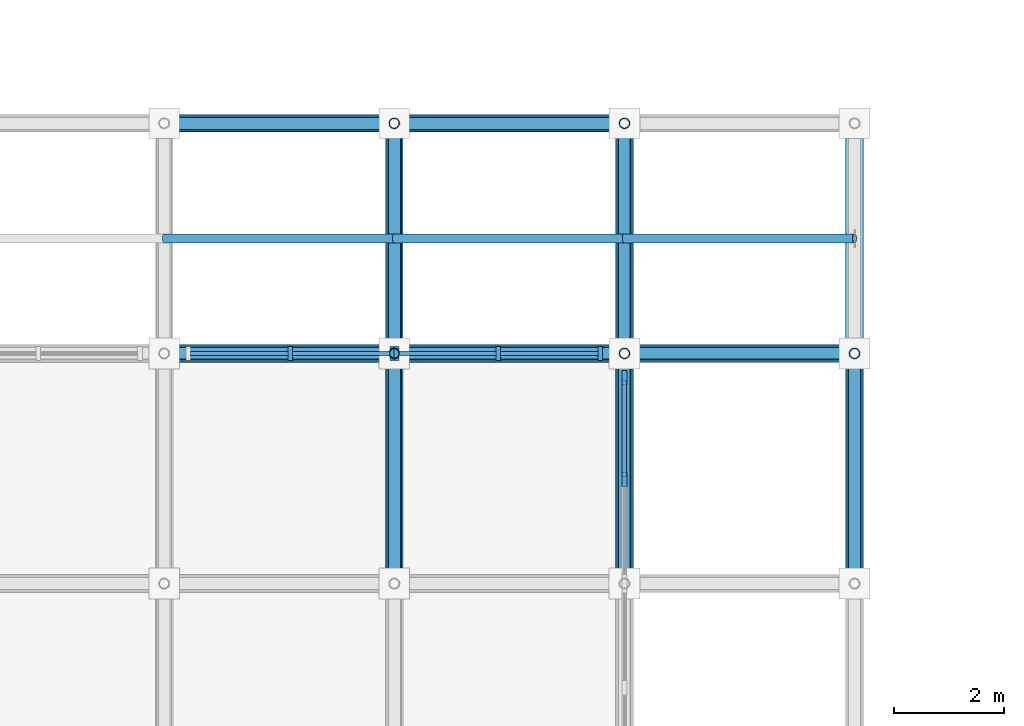
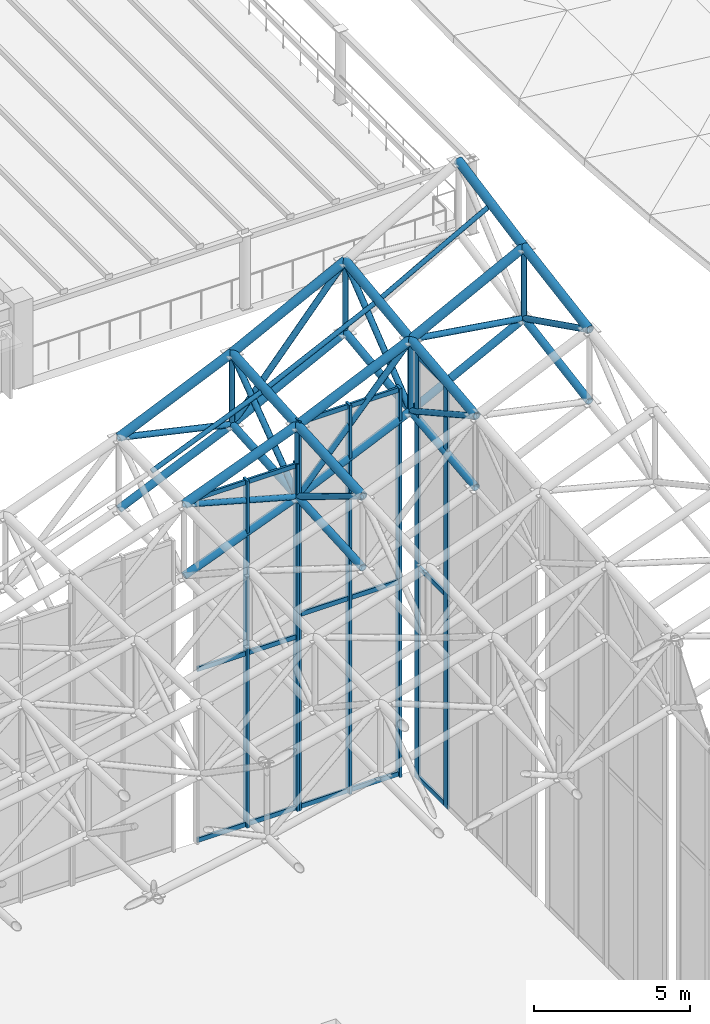
# One storey, part 56 of 93: 61 members, 3 elements without a shape of their own.
"""IFC4 building model written with IfcOpenShell, lengths in metres."""

from ifc_helpers import new_model, si_unit, direction, frame, origin, origin_2d, place, context, subcontext, project, spatial, rectangle, hollow_circle, extrude, material, material_profile, profile_set, type_object, element, aggregate, save


model = new_model("IFC4")

# Units and contexts
model_context = context("Model", 3, precision=1e-05, world=origin(), true_north=direction((0.0, 1.0)))
body_context = subcontext(model_context, "Body", "Model", "MODEL_VIEW")
ifc_project = project(units=[si_unit("LENGTHUNIT", "METRE"), si_unit("AREAUNIT", "SQUARE_METRE"), si_unit("VOLUMEUNIT", "CUBIC_METRE"), si_unit("PLANEANGLEUNIT", "RADIAN"), si_unit("MASSUNIT", "GRAM", prefix="KILO")], contexts=[model_context])

# Site, building, storey
site_placement = place(None, origin())
site = spatial("IfcSite", under=ifc_project, at=site_placement, CompositionType="ELEMENT")
building_placement = place(site_placement, origin())
building = spatial("IfcBuilding", under=site, at=building_placement, Name="Cumbredor Promenade Congress Hotel", CompositionType="ELEMENT")
storey_placement = place(building_placement, frame((0.0, 0.0, 21.840087890625)))
storey = spatial("IfcBuildingStorey", under=building, at=storey_placement, Name="L06", CompositionType="ELEMENT", Elevation=21.840087890625)

# Curtain wall, members
ifc_material_1 = material(Name="Thermally broken anodized aluminium and low-E glass", Category="aluminium")
curtain_wall_type = type_object("IfcCurtainWallType", Name="Stepped Pavilion Clerestory Curtain Wall CW-06", PredefinedType="NOTDEFINED", material=ifc_material_1)
curtain_wall_1_placement = place(storey_placement, origin())
curtain_wall_1 = element("IfcCurtainWall", 1, at=curtain_wall_1_placement, inside=storey, type_object=curtain_wall_type, Name="Plenary Congress Hall N Glazed Clerestory 13", PredefinedType="NOTDEFINED")
ifc_material_2 = material(Name="Thermally broken anodized aluminium", Category="aluminium")
ifc_material_profile_1 = material_profile(ifc_material_2, rectangle(XDim=0.0849609375, YDim=0.260009765625, at=origin_2d()), Name="ALU MULLION CLERESTORY 85x260")
ifc_profile_set_1 = profile_set([ifc_material_profile_1], Name="Thermally broken anodized aluminium")
member_type_1 = type_object("IfcMemberType", Name="Curtain Wall Mullion ML-04", PredefinedType="MULLION", material=ifc_profile_set_1)
member_1_placement = place(storey_placement, frame((61.10009765625, 67.199951171875, -0.01806640625), z_axis=(0.0, 0.0, 1.0), x_axis=(1.0, 0.0, 0.0)))
member_1 = element("IfcMember", 2, at=member_1_placement, type_object=member_type_1, Name="Plenary Congress Hall N Glazed Clerestory 13 Mullion 2", PredefinedType="MULLION", context=body_context, shape_type="SweptSolid", body=[
    extrude(rectangle(XDim=0.0849609375, YDim=0.260009765625, at=origin_2d()), origin(), (0.0, 0.0, 1.0), 13.609130859375),
])
member_2_placement = place(storey_placement, frame((62.9599609375, 67.199951171875, -0.01806640625), z_axis=(0.0, 0.0, 1.0), x_axis=(1.0, 0.0, 0.0)))
member_2 = element("IfcMember", 3, at=member_2_placement, type_object=member_type_1, Name="Plenary Congress Hall N Glazed Clerestory 13 Mullion 3", PredefinedType="MULLION", context=body_context, shape_type="SweptSolid", body=[
    extrude(rectangle(XDim=0.0849609375, YDim=0.260009765625, at=origin_2d()), origin(), (0.0, 0.0, 1.0), 13.609130859375),
])

curtain_wall_2_placement = place(storey_placement, origin())
curtain_wall_2 = element("IfcCurtainWall", 4, at=curtain_wall_2_placement, inside=storey, type_object=curtain_wall_type, Name="Plenary Congress Hall N Glazed Clerestory 14", PredefinedType="NOTDEFINED")
member_3_placement = place(storey_placement, frame((63.0400390625, 67.199951171875, -0.01806640625), z_axis=(0.0, 0.0, 1.0), x_axis=(1.0, 0.0, 0.0)))
member_3 = element("IfcMember", 5, at=member_3_placement, type_object=member_type_1, Name="Plenary Congress Hall N Glazed Clerestory 14 Mullion 1", PredefinedType="MULLION", context=body_context, shape_type="SweptSolid", body=[
    extrude(rectangle(XDim=0.0849609375, YDim=0.260009765625, at=origin_2d()), origin(), (0.0, 0.0, 1.0), 15.246337890625),
])
member_4_placement = place(storey_placement, frame((64.89990234375, 67.199951171875, -0.01806640625), z_axis=(0.0, 0.0, 1.0), x_axis=(1.0, 0.0, 0.0)))
member_4 = element("IfcMember", 6, at=member_4_placement, type_object=member_type_1, Name="Plenary Congress Hall N Glazed Clerestory 14 Mullion 2", PredefinedType="MULLION", context=body_context, shape_type="SweptSolid", body=[
    extrude(rectangle(XDim=0.0849609375, YDim=0.260009765625, at=origin_2d()), origin(), (0.0, 0.0, 1.0), 15.246337890625),
])
member_5_placement = place(storey_placement, frame((66.760009765625, 67.199951171875, -0.01806640625), z_axis=(0.0, 0.0, 1.0), x_axis=(1.0, 0.0, 0.0)))
member_5 = element("IfcMember", 7, at=member_5_placement, type_object=member_type_1, Name="Plenary Congress Hall N Glazed Clerestory 14 Mullion 3", PredefinedType="MULLION", context=body_context, shape_type="SweptSolid", body=[
    extrude(rectangle(XDim=0.0849609375, YDim=0.260009765625, at=origin_2d()), origin(), (0.0, 0.0, 1.0), 15.246337890625),
])

curtain_wall_3_placement = place(storey_placement, origin())
curtain_wall_3 = element("IfcCurtainWall", 8, at=curtain_wall_3_placement, inside=storey, type_object=curtain_wall_type, Name="Plenary Congress Hall E Glazed Clerestory 14", PredefinedType="NOTDEFINED")
member_6_placement = place(storey_placement, frame((67.199951171875, 64.89990234375, -0.01806640625), z_axis=(0.0, 0.0, 1.0), x_axis=(1.0, 0.0, 0.0)))
member_6 = element("IfcMember", 9, at=member_6_placement, type_object=member_type_1, Name="Plenary Congress Hall E Glazed Clerestory 14 Mullion 2", PredefinedType="MULLION", context=body_context, shape_type="SweptSolid", body=[
    extrude(rectangle(XDim=0.0849609375, YDim=0.260009765625, at=origin_2d()), origin(), (0.0, 0.0, 1.0), 16.67431640625),
])
member_7_placement = place(storey_placement, frame((67.199951171875, 66.760009765625, -0.01806640625), z_axis=(0.0, 0.0, 1.0), x_axis=(1.0, 0.0, 0.0)))
member_7 = element("IfcMember", 10, at=member_7_placement, type_object=member_type_1, Name="Plenary Congress Hall E Glazed Clerestory 14 Mullion 3", PredefinedType="MULLION", context=body_context, shape_type="SweptSolid", body=[
    extrude(rectangle(XDim=0.0849609375, YDim=0.260009765625, at=origin_2d()), origin(), (0.0, 0.0, 1.0), 16.67431640625),
])

# Member
ifc_material_profile_2 = material_profile(ifc_material_2, rectangle(XDim=0.080078125, YDim=0.179931640625, at=origin_2d()), Name="ALU TRANSOM 80x180")
ifc_profile_set_2 = profile_set([ifc_material_profile_2], Name="Thermally broken anodized aluminium")
member_type_2 = type_object("IfcMemberType", Name="Curtain Wall Transom TR-03", PredefinedType="USERDEFINED", material=ifc_profile_set_2)
member_8_placement = place(storey_placement, frame((59.282470703125, 67.199951171875, 0.079833984375), z_axis=(1.0, 0.0, 0.0), x_axis=(0.0, 1.0, 0.0)))
member_8 = element("IfcMember", 11, at=member_8_placement, type_object=member_type_2, Name="Plenary Congress Hall N Glazed Clerestory 13 Transom 1.1", ObjectType="TRANSOM", PredefinedType="USERDEFINED", context=body_context, shape_type="SweptSolid", body=[
    extrude(rectangle(XDim=0.080078125, YDim=0.179931640625, at=origin_2d()), origin(), (0.0, 0.0, 1.0), 1.775146484375),
])

member_9_placement = place(storey_placement, frame((59.282470703125, 67.199951171875, 6.780029296875), z_axis=(1.0, 0.0, 0.0), x_axis=(0.0, 1.0, 0.0)))
member_9 = element("IfcMember", 12, at=member_9_placement, type_object=member_type_2, Name="Plenary Congress Hall N Glazed Clerestory 13 Transom 1.2", ObjectType="TRANSOM", PredefinedType="USERDEFINED", context=body_context, shape_type="SweptSolid", body=[
    extrude(rectangle(XDim=0.080078125, YDim=0.179931640625, at=origin_2d()), origin(), (0.0, 0.0, 1.0), 1.775146484375),
])

member_10_placement = place(storey_placement, frame((59.282470703125, 67.199951171875, 13.489990234375), z_axis=(1.0, 0.0, 0.0), x_axis=(0.0, 1.0, 0.0)))
member_10 = element("IfcMember", 13, at=member_10_placement, type_object=member_type_2, Name="Plenary Congress Hall N Glazed Clerestory 13 Transom 1.3", ObjectType="TRANSOM", PredefinedType="USERDEFINED", context=body_context, shape_type="SweptSolid", body=[
    extrude(rectangle(XDim=0.080078125, YDim=0.179931640625, at=origin_2d()), origin(), (0.0, 0.0, 1.0), 1.775146484375),
])

member_11_placement = place(storey_placement, frame((61.142578125, 67.199951171875, 0.079833984375), z_axis=(1.0, 0.0, 0.0), x_axis=(0.0, 1.0, 0.0)))
member_11 = element("IfcMember", 14, at=member_11_placement, type_object=member_type_2, Name="Plenary Congress Hall N Glazed Clerestory 13 Transom 2.1", ObjectType="TRANSOM", PredefinedType="USERDEFINED", context=body_context, shape_type="SweptSolid", body=[
    extrude(rectangle(XDim=0.080078125, YDim=0.179931640625, at=origin_2d()), origin(), (0.0, 0.0, 1.0), 1.77490234375),
])

member_12_placement = place(storey_placement, frame((61.142578125, 67.199951171875, 6.780029296875), z_axis=(1.0, 0.0, 0.0), x_axis=(0.0, 1.0, 0.0)))
member_12 = element("IfcMember", 15, at=member_12_placement, type_object=member_type_2, Name="Plenary Congress Hall N Glazed Clerestory 13 Transom 2.2", ObjectType="TRANSOM", PredefinedType="USERDEFINED", context=body_context, shape_type="SweptSolid", body=[
    extrude(rectangle(XDim=0.080078125, YDim=0.179931640625, at=origin_2d()), origin(), (0.0, 0.0, 1.0), 1.77490234375),
])

member_13_placement = place(storey_placement, frame((61.142578125, 67.199951171875, 13.489990234375), z_axis=(1.0, 0.0, 0.0), x_axis=(0.0, 1.0, 0.0)))
member_13 = element("IfcMember", 16, at=member_13_placement, type_object=member_type_2, Name="Plenary Congress Hall N Glazed Clerestory 13 Transom 2.3", ObjectType="TRANSOM", PredefinedType="USERDEFINED", context=body_context, shape_type="SweptSolid", body=[
    extrude(rectangle(XDim=0.080078125, YDim=0.179931640625, at=origin_2d()), origin(), (0.0, 0.0, 1.0), 1.77490234375),
])

aggregate(curtain_wall_1, [member_1, member_2, member_8, member_9, member_10, member_11, member_12, member_13])

member_14_placement = place(storey_placement, frame((63.08251953125, 67.199951171875, 0.079833984375), z_axis=(1.0, 0.0, 0.0), x_axis=(0.0, 1.0, 0.0)))
member_14 = element("IfcMember", 17, at=member_14_placement, type_object=member_type_2, Name="Plenary Congress Hall N Glazed Clerestory 14 Transom 1.1", ObjectType="TRANSOM", PredefinedType="USERDEFINED", context=body_context, shape_type="SweptSolid", body=[
    extrude(rectangle(XDim=0.080078125, YDim=0.179931640625, at=origin_2d()), origin(), (0.0, 0.0, 1.0), 1.77490234375),
])

member_15_placement = place(storey_placement, frame((63.08251953125, 67.199951171875, 7.60986328125), z_axis=(1.0, 0.0, 0.0), x_axis=(0.0, 1.0, 0.0)))
member_15 = element("IfcMember", 18, at=member_15_placement, type_object=member_type_2, Name="Plenary Congress Hall N Glazed Clerestory 14 Transom 1.2", ObjectType="TRANSOM", PredefinedType="USERDEFINED", context=body_context, shape_type="SweptSolid", body=[
    extrude(rectangle(XDim=0.080078125, YDim=0.179931640625, at=origin_2d()), origin(), (0.0, 0.0, 1.0), 1.77490234375),
])

member_16_placement = place(storey_placement, frame((63.08251953125, 67.199951171875, 15.1298828125), z_axis=(1.0, 0.0, 0.0), x_axis=(0.0, 1.0, 0.0)))
member_16 = element("IfcMember", 19, at=member_16_placement, type_object=member_type_2, Name="Plenary Congress Hall N Glazed Clerestory 14 Transom 1.3", ObjectType="TRANSOM", PredefinedType="USERDEFINED", context=body_context, shape_type="SweptSolid", body=[
    extrude(rectangle(XDim=0.080078125, YDim=0.179931640625, at=origin_2d()), origin(), (0.0, 0.0, 1.0), 1.77490234375),
])

member_17_placement = place(storey_placement, frame((64.9423828125, 67.199951171875, 0.079833984375), z_axis=(1.0, 0.0, 0.0), x_axis=(0.0, 1.0, 0.0)))
member_17 = element("IfcMember", 20, at=member_17_placement, type_object=member_type_2, Name="Plenary Congress Hall N Glazed Clerestory 14 Transom 2.1", ObjectType="TRANSOM", PredefinedType="USERDEFINED", context=body_context, shape_type="SweptSolid", body=[
    extrude(rectangle(XDim=0.080078125, YDim=0.179931640625, at=origin_2d()), origin(), (0.0, 0.0, 1.0), 1.775146484375),
])

member_18_placement = place(storey_placement, frame((64.9423828125, 67.199951171875, 7.60986328125), z_axis=(1.0, 0.0, 0.0), x_axis=(0.0, 1.0, 0.0)))
member_18 = element("IfcMember", 21, at=member_18_placement, type_object=member_type_2, Name="Plenary Congress Hall N Glazed Clerestory 14 Transom 2.2", ObjectType="TRANSOM", PredefinedType="USERDEFINED", context=body_context, shape_type="SweptSolid", body=[
    extrude(rectangle(XDim=0.080078125, YDim=0.179931640625, at=origin_2d()), origin(), (0.0, 0.0, 1.0), 1.775146484375),
])

member_19_placement = place(storey_placement, frame((64.9423828125, 67.199951171875, 15.1298828125), z_axis=(1.0, 0.0, 0.0), x_axis=(0.0, 1.0, 0.0)))
member_19 = element("IfcMember", 22, at=member_19_placement, type_object=member_type_2, Name="Plenary Congress Hall N Glazed Clerestory 14 Transom 2.3", ObjectType="TRANSOM", PredefinedType="USERDEFINED", context=body_context, shape_type="SweptSolid", body=[
    extrude(rectangle(XDim=0.080078125, YDim=0.179931640625, at=origin_2d()), origin(), (0.0, 0.0, 1.0), 1.775146484375),
])

aggregate(curtain_wall_2, [member_3, member_4, member_5, member_14, member_15, member_16, member_17, member_18, member_19])

member_20_placement = place(storey_placement, frame((67.199951171875, 64.9423828125, 0.079833984375), z_axis=(0.0, 1.0, 0.0), x_axis=(-1.0, 0.0, 0.0)))
member_20 = element("IfcMember", 23, at=member_20_placement, type_object=member_type_2, Name="Plenary Congress Hall E Glazed Clerestory 14 Transom 2.1", ObjectType="TRANSOM", PredefinedType="USERDEFINED", context=body_context, shape_type="SweptSolid", body=[
    extrude(rectangle(XDim=0.080078125, YDim=0.179931640625, at=origin_2d()), origin(), (0.0, 0.0, 1.0), 1.775146484375),
])

member_21_placement = place(storey_placement, frame((67.199951171875, 64.9423828125, 8.31982421875), z_axis=(0.0, 1.0, 0.0), x_axis=(-1.0, 0.0, 0.0)))
member_21 = element("IfcMember", 24, at=member_21_placement, type_object=member_type_2, Name="Plenary Congress Hall E Glazed Clerestory 14 Transom 2.2", ObjectType="TRANSOM", PredefinedType="USERDEFINED", context=body_context, shape_type="SweptSolid", body=[
    extrude(rectangle(XDim=0.080078125, YDim=0.179931640625, at=origin_2d()), origin(), (0.0, 0.0, 1.0), 1.775146484375),
])

member_22_placement = place(storey_placement, frame((67.199951171875, 64.9423828125, 16.559814453125), z_axis=(0.0, 1.0, 0.0), x_axis=(-1.0, 0.0, 0.0)))
member_22 = element("IfcMember", 25, at=member_22_placement, type_object=member_type_2, Name="Plenary Congress Hall E Glazed Clerestory 14 Transom 2.3", ObjectType="TRANSOM", PredefinedType="USERDEFINED", context=body_context, shape_type="SweptSolid", body=[
    extrude(rectangle(XDim=0.080078125, YDim=0.179931640625, at=origin_2d()), origin(), (0.0, 0.0, 1.0), 1.775146484375),
])

aggregate(curtain_wall_3, [member_6, member_7, member_20, member_21, member_22])

# Members
ifc_material_3 = material(Name="Steel ASTM A500 Grade C", Category="steel")
ifc_material_profile_3 = material_profile(ifc_material_3, hollow_circle(Radius=0.136474609375, WallThickness=0.01611328125, at=origin_2d()), Name="CHS 273.0x16")
ifc_profile_set_3 = profile_set([ifc_material_profile_3], Name="Steel ASTM A500 Grade C")
member_type_3 = type_object("IfcMemberType", Name="Plenary Roof Space Frame Bottom Chord", PredefinedType="CHORD", material=ifc_profile_set_3)
member_23_placement = place(storey_placement, frame((58.800048828125, 67.199951171875, 10.603271484375), z_axis=(0.931730987888, 0.0, 0.363149234075), x_axis=(0.0, 1.0, 0.0)))
element("IfcMember", 26, at=member_23_placement, inside=storey, type_object=member_type_3, Name="Plenary Congress Hall X Bottom Chord 16.17", PredefinedType="CHORD", context=body_context, shape_type="SweptSolid", body=[
    extrude(hollow_circle(Radius=0.136474609375, WallThickness=0.01611328125, at=origin_2d()), origin(), (0.0, 0.0, 1.0), 4.507568359375),
])
member_24_placement = place(storey_placement, frame((63.0, 67.199951171875, 12.240234375), z_axis=(0.91202761612, 0.0, 0.410128793716), x_axis=(0.0, 1.0, 0.0)))
element("IfcMember", 27, at=member_24_placement, inside=storey, type_object=member_type_3, Name="Plenary Congress Hall X Bottom Chord 17.17", PredefinedType="CHORD", context=body_context, shape_type="SweptSolid", body=[
    extrude(hollow_circle(Radius=0.136474609375, WallThickness=0.01611328125, at=origin_2d()), origin(), (0.0, 0.0, 1.0), 4.60498046875),
])
member_25_placement = place(storey_placement, frame((67.199951171875, 67.199951171875, 14.12890625), z_axis=(0.889587462598, 0.0, 0.456764869914), x_axis=(0.0, 1.0, 0.0)))
element("IfcMember", 28, at=member_25_placement, inside=storey, type_object=member_type_3, Name="Plenary Congress Hall X Bottom Chord 18.17", PredefinedType="CHORD", context=body_context, shape_type="SweptSolid", body=[
    extrude(hollow_circle(Radius=0.136474609375, WallThickness=0.01611328125, at=origin_2d()), origin(), (0.0, 0.0, 1.0), 4.72119140625),
])
member_26_placement = place(storey_placement, frame((58.800048828125, 71.39990234375, 10.672119140625), z_axis=(0.914850207029, 0.0, 0.403793386152), x_axis=(0.0, 1.0, 0.0)))
element("IfcMember", 29, at=member_26_placement, inside=storey, type_object=member_type_3, Name="Plenary Congress Hall X Bottom Chord 16.18", PredefinedType="CHORD", context=body_context, shape_type="SweptSolid", body=[
    extrude(hollow_circle(Radius=0.136474609375, WallThickness=0.01611328125, at=origin_2d()), origin(), (0.0, 0.0, 1.0), 4.5908203125),
])
member_27_placement = place(storey_placement, frame((63.0, 71.39990234375, 12.52587890625), z_axis=(0.891118940449, 0.0, 0.453769802844), x_axis=(0.0, 1.0, 0.0)))
element("IfcMember", 30, at=member_27_placement, inside=storey, type_object=member_type_3, Name="Plenary Congress Hall X Bottom Chord 17.18", PredefinedType="CHORD", context=body_context, shape_type="SweptSolid", body=[
    extrude(hollow_circle(Radius=0.136474609375, WallThickness=0.01611328125, at=origin_2d()), origin(), (0.0, 0.0, 1.0), 4.713134765625),
])
member_28_placement = place(storey_placement, frame((63.0, 63.0, 11.996826171875), z_axis=(0.0, 0.99832482726, 0.057857923198), x_axis=(-1.0, 0.0, 0.0)))
element("IfcMember", 31, at=member_28_placement, inside=storey, type_object=member_type_3, Name="Plenary Congress Hall Y Bottom Chord 17.16", PredefinedType="CHORD", context=body_context, shape_type="SweptSolid", body=[
    extrude(hollow_circle(Radius=0.136474609375, WallThickness=0.01611328125, at=origin_2d()), origin(), (0.0, 0.0, 1.0), 4.20703125),
])
member_29_placement = place(storey_placement, frame((63.0, 67.199951171875, 12.240234375), z_axis=(0.0, 0.997695217775, 0.067854641911), x_axis=(-1.0, 0.0, 0.0)))
element("IfcMember", 32, at=member_29_placement, inside=storey, type_object=member_type_3, Name="Plenary Congress Hall Y Bottom Chord 17.17", PredefinedType="CHORD", context=body_context, shape_type="SweptSolid", body=[
    extrude(hollow_circle(Radius=0.136474609375, WallThickness=0.01611328125, at=origin_2d()), origin(), (0.0, 0.0, 1.0), 4.209716796875),
])
member_30_placement = place(storey_placement, frame((67.199951171875, 63.0, 13.66845703125), z_axis=(0.0, 0.99404404365, 0.108979077273), x_axis=(-1.0, 0.0, 0.0)))
element("IfcMember", 33, at=member_30_placement, inside=storey, type_object=member_type_3, Name="Plenary Congress Hall Y Bottom Chord 18.16", PredefinedType="CHORD", context=body_context, shape_type="SweptSolid", body=[
    extrude(hollow_circle(Radius=0.136474609375, WallThickness=0.01611328125, at=origin_2d()), origin(), (0.0, 0.0, 1.0), 4.22509765625),
])
member_31_placement = place(storey_placement, frame((67.199951171875, 67.199951171875, 14.12890625), z_axis=(0.0, 0.991965183128, 0.126511167342), x_axis=(-1.0, 0.0, 0.0)))
element("IfcMember", 34, at=member_31_placement, inside=storey, type_object=member_type_3, Name="Plenary Congress Hall Y Bottom Chord 18.17", PredefinedType="CHORD", context=body_context, shape_type="SweptSolid", body=[
    extrude(hollow_circle(Radius=0.136474609375, WallThickness=0.01611328125, at=origin_2d()), origin(), (0.0, 0.0, 1.0), 4.23388671875),
])
member_32_placement = place(storey_placement, frame((71.39990234375, 63.0, 15.575927734375), z_axis=(0.0, 0.986030601948, 0.166564257935), x_axis=(-1.0, 0.0, 0.0)))
element("IfcMember", 35, at=member_32_placement, inside=storey, type_object=member_type_3, Name="Plenary Congress Hall Y Bottom Chord 19.16", PredefinedType="CHORD", context=body_context, shape_type="SweptSolid", body=[
    extrude(hollow_circle(Radius=0.136474609375, WallThickness=0.01611328125, at=origin_2d()), origin(), (0.0, 0.0, 1.0), 4.259521484375),
])
ifc_material_profile_4 = material_profile(ifc_material_3, hollow_circle(Radius=0.161865234375, WallThickness=0.01611328125, at=origin_2d()), Name="CHS 323.9x16")
ifc_profile_set_4 = profile_set([ifc_material_profile_4], Name="Steel ASTM A500 Grade C")
member_type_4 = type_object("IfcMemberType", Name="Plenary Roof Space Frame Top Chord", PredefinedType="CHORD", material=ifc_profile_set_4)
member_33_placement = place(storey_placement, frame((58.800048828125, 67.199951171875, 13.4033203125), z_axis=(0.931730987888, 0.0, 0.363149234075), x_axis=(0.0, 1.0, 0.0)))
element("IfcMember", 36, at=member_33_placement, inside=storey, type_object=member_type_4, Name="Plenary Congress Hall X Top Chord 16.17", PredefinedType="CHORD", context=body_context, shape_type="SweptSolid", body=[
    extrude(hollow_circle(Radius=0.161865234375, WallThickness=0.01611328125, at=origin_2d()), origin(), (0.0, 0.0, 1.0), 4.507568359375),
])
member_34_placement = place(storey_placement, frame((63.0, 67.199951171875, 15.040283203125), z_axis=(0.912047445911, 0.0, 0.410084694188), x_axis=(0.0, 1.0, 0.0)))
element("IfcMember", 37, at=member_34_placement, inside=storey, type_object=member_type_4, Name="Plenary Congress Hall X Top Chord 17.17", PredefinedType="CHORD", context=body_context, shape_type="SweptSolid", body=[
    extrude(hollow_circle(Radius=0.161865234375, WallThickness=0.01611328125, at=origin_2d()), origin(), (0.0, 0.0, 1.0), 4.60498046875),
])
member_35_placement = place(storey_placement, frame((67.199951171875, 67.199951171875, 16.9287109375), z_axis=(0.88956645023, 0.0, 0.456805790928), x_axis=(0.0, 1.0, 0.0)))
element("IfcMember", 38, at=member_35_placement, inside=storey, type_object=member_type_4, Name="Plenary Congress Hall X Top Chord 18.17", PredefinedType="CHORD", context=body_context, shape_type="SweptSolid", body=[
    extrude(hollow_circle(Radius=0.161865234375, WallThickness=0.01611328125, at=origin_2d()), origin(), (0.0, 0.0, 1.0), 4.721435546875),
])
member_36_placement = place(storey_placement, frame((58.800048828125, 71.39990234375, 13.47216796875), z_axis=(0.914850207029, 0.0, 0.403793386152), x_axis=(0.0, 1.0, 0.0)))
element("IfcMember", 39, at=member_36_placement, inside=storey, type_object=member_type_4, Name="Plenary Congress Hall X Top Chord 16.18", PredefinedType="CHORD", context=body_context, shape_type="SweptSolid", body=[
    extrude(hollow_circle(Radius=0.161865234375, WallThickness=0.01611328125, at=origin_2d()), origin(), (0.0, 0.0, 1.0), 4.5908203125),
])
member_37_placement = place(storey_placement, frame((63.0, 71.39990234375, 15.325927734375), z_axis=(0.891118940449, 0.0, 0.453769802844), x_axis=(0.0, 1.0, 0.0)))
element("IfcMember", 40, at=member_37_placement, inside=storey, type_object=member_type_4, Name="Plenary Congress Hall X Top Chord 17.18", PredefinedType="CHORD", context=body_context, shape_type="SweptSolid", body=[
    extrude(hollow_circle(Radius=0.161865234375, WallThickness=0.01611328125, at=origin_2d()), origin(), (0.0, 0.0, 1.0), 4.713134765625),
])
member_38_placement = place(storey_placement, frame((63.0, 63.0, 14.796875), z_axis=(0.0, 0.99832482726, 0.057857923198), x_axis=(-1.0, 0.0, 0.0)))
element("IfcMember", 41, at=member_38_placement, inside=storey, type_object=member_type_4, Name="Plenary Congress Hall Y Top Chord 17.16", PredefinedType="CHORD", context=body_context, shape_type="SweptSolid", body=[
    extrude(hollow_circle(Radius=0.161865234375, WallThickness=0.01611328125, at=origin_2d()), origin(), (0.0, 0.0, 1.0), 4.20703125),
])
member_39_placement = place(storey_placement, frame((63.0, 67.199951171875, 15.040283203125), z_axis=(0.0, 0.997695217775, 0.067854641911), x_axis=(-1.0, 0.0, 0.0)))
element("IfcMember", 42, at=member_39_placement, inside=storey, type_object=member_type_4, Name="Plenary Congress Hall Y Top Chord 17.17", PredefinedType="CHORD", context=body_context, shape_type="SweptSolid", body=[
    extrude(hollow_circle(Radius=0.161865234375, WallThickness=0.01611328125, at=origin_2d()), origin(), (0.0, 0.0, 1.0), 4.209716796875),
])
member_40_placement = place(storey_placement, frame((67.199951171875, 63.0, 16.468505859375), z_axis=(0.0, 0.994050301702, 0.108921979812), x_axis=(-1.0, 0.0, 0.0)))
element("IfcMember", 43, at=member_40_placement, inside=storey, type_object=member_type_4, Name="Plenary Congress Hall Y Top Chord 18.16", PredefinedType="CHORD", context=body_context, shape_type="SweptSolid", body=[
    extrude(hollow_circle(Radius=0.161865234375, WallThickness=0.01611328125, at=origin_2d()), origin(), (0.0, 0.0, 1.0), 4.22509765625),
])
member_41_placement = place(storey_placement, frame((67.199951171875, 67.199951171875, 16.9287109375), z_axis=(0.0, 0.991957945242, 0.126567906168), x_axis=(-1.0, 0.0, 0.0)))
element("IfcMember", 44, at=member_41_placement, inside=storey, type_object=member_type_4, Name="Plenary Congress Hall Y Top Chord 18.17", PredefinedType="CHORD", context=body_context, shape_type="SweptSolid", body=[
    extrude(hollow_circle(Radius=0.161865234375, WallThickness=0.01611328125, at=origin_2d()), origin(), (0.0, 0.0, 1.0), 4.23388671875),
])
member_42_placement = place(storey_placement, frame((71.39990234375, 63.0, 18.375732421875), z_axis=(0.0, 0.986021186806, 0.166619984308), x_axis=(-1.0, 0.0, 0.0)))
element("IfcMember", 45, at=member_42_placement, inside=storey, type_object=member_type_4, Name="Plenary Congress Hall Y Top Chord 19.16", PredefinedType="CHORD", context=body_context, shape_type="SweptSolid", body=[
    extrude(hollow_circle(Radius=0.161865234375, WallThickness=0.01611328125, at=origin_2d()), origin(), (0.0, 0.0, 1.0), 4.259521484375),
])
member_43_placement = place(storey_placement, frame((71.39990234375, 67.199951171875, 19.08544921875), z_axis=(0.0, 0.981733113687, 0.190263221591), x_axis=(-1.0, 0.0, 0.0)))
element("IfcMember", 46, at=member_43_placement, inside=storey, type_object=member_type_4, Name="Plenary Congress Hall Y Top Chord 19.17", PredefinedType="CHORD", context=body_context, shape_type="SweptSolid", body=[
    extrude(hollow_circle(Radius=0.161865234375, WallThickness=0.01611328125, at=origin_2d()), origin(), (0.0, 0.0, 1.0), 4.278076171875),
])
ifc_material_profile_5 = material_profile(ifc_material_3, hollow_circle(Radius=0.084228515625, WallThickness=0.010009765625, at=origin_2d()), Name="CHS 168.3x10")
ifc_profile_set_5 = profile_set([ifc_material_profile_5], Name="Steel ASTM A500 Grade C")
member_type_5 = type_object("IfcMemberType", Name="Roof Purlin CHS168", PredefinedType="PURLIN", material=ifc_profile_set_5)
member_44_placement = place(storey_placement, frame((58.800048828125, 69.300048828125, 13.417724609375), z_axis=(0.923437023383, 0.0, 0.383750001753), x_axis=(0.0, 1.0, 0.0)))
element("IfcMember", 47, at=member_44_placement, inside=storey, type_object=member_type_5, Name="Plenary Congress Hall Roof Eave Purlin 16.17", PredefinedType="PURLIN", context=body_context, shape_type="SweptSolid", body=[
    extrude(hollow_circle(Radius=0.084228515625, WallThickness=0.010009765625, at=origin_2d()), origin(), (0.0, 0.0, 1.0), 4.548095703125),
])
member_45_placement = place(storey_placement, frame((63.0, 69.300048828125, 15.1630859375), z_axis=(0.901716001188, 0.0, 0.43232887158), x_axis=(0.0, 1.0, 0.0)))
element("IfcMember", 48, at=member_45_placement, inside=storey, type_object=member_type_5, Name="Plenary Congress Hall Roof Eave Purlin 17.17", PredefinedType="PURLIN", context=body_context, shape_type="SweptSolid", body=[
    extrude(hollow_circle(Radius=0.084228515625, WallThickness=0.010009765625, at=origin_2d()), origin(), (0.0, 0.0, 1.0), 4.65771484375),
])
member_46_placement = place(storey_placement, frame((67.199951171875, 69.300048828125, 17.1767578125), z_axis=(0.877476133275, 0.0, 0.479620303504), x_axis=(0.0, 1.0, 0.0)))
element("IfcMember", 49, at=member_46_placement, inside=storey, type_object=member_type_5, Name="Plenary Congress Hall Roof Eave Purlin 18.17", PredefinedType="PURLIN", context=body_context, shape_type="SweptSolid", body=[
    extrude(hollow_circle(Radius=0.084228515625, WallThickness=0.010009765625, at=origin_2d()), origin(), (0.0, 0.0, 1.0), 4.786376953125),
])
ifc_material_profile_6 = material_profile(ifc_material_3, hollow_circle(Radius=0.109619140625, WallThickness=0.012451171875, at=origin_2d()), Name="CHS 219.1x12.5")
ifc_profile_set_6 = profile_set([ifc_material_profile_6], Name="Steel ASTM A500 Grade C")
member_type_6 = type_object("IfcMemberType", Name="Space Frame Web Diagonal D1", PredefinedType="BRACE", material=ifc_profile_set_6)
member_47_placement = place(storey_placement, frame((58.800048828125, 67.199951171875, 13.4033203125), z_axis=(0.963728691844, 0.0, -0.266883885831), x_axis=(0.0, 1.0, 0.0)))
element("IfcMember", 50, at=member_47_placement, inside=storey, type_object=member_type_6, Name="Plenary Congress Hall X Web Diagonal 16.17", PredefinedType="BRACE", context=body_context, shape_type="SweptSolid", body=[
    extrude(hollow_circle(Radius=0.109619140625, WallThickness=0.012451171875, at=origin_2d()), origin(), (0.0, 0.0, 1.0), 4.35791015625),
])
member_48_placement = place(storey_placement, frame((63.0, 67.199951171875, 12.240234375), z_axis=(0.667235769504, 0.0, 0.744846580105), x_axis=(0.0, 1.0, 0.0)))
element("IfcMember", 51, at=member_48_placement, inside=storey, type_object=member_type_6, Name="Plenary Congress Hall X Web Diagonal 17.17", PredefinedType="BRACE", context=body_context, shape_type="SweptSolid", body=[
    extrude(hollow_circle(Radius=0.109619140625, WallThickness=0.012451171875, at=origin_2d()), origin(), (0.0, 0.0, 1.0), 6.29443359375),
])
member_49_placement = place(storey_placement, frame((67.199951171875, 67.199951171875, 16.9287109375), z_axis=(0.988471787229, 0.0, -0.151405171153), x_axis=(0.0, 1.0, 0.0)))
element("IfcMember", 52, at=member_49_placement, inside=storey, type_object=member_type_6, Name="Plenary Congress Hall X Web Diagonal 18.17", PredefinedType="BRACE", context=body_context, shape_type="SweptSolid", body=[
    extrude(hollow_circle(Radius=0.109619140625, WallThickness=0.012451171875, at=origin_2d()), origin(), (0.0, 0.0, 1.0), 4.2490234375),
])
member_50_placement = place(storey_placement, frame((58.800048828125, 71.39990234375, 13.47216796875), z_axis=(0.975545044553, 0.0, -0.219799604295), x_axis=(0.0, 1.0, 0.0)))
element("IfcMember", 53, at=member_50_placement, inside=storey, type_object=member_type_6, Name="Plenary Congress Hall X Web Diagonal 16.18", PredefinedType="BRACE", context=body_context, shape_type="SweptSolid", body=[
    extrude(hollow_circle(Radius=0.109619140625, WallThickness=0.012451171875, at=origin_2d()), origin(), (0.0, 0.0, 1.0), 4.30517578125),
])
member_51_placement = place(storey_placement, frame((63.0, 71.39990234375, 12.52587890625), z_axis=(0.647830952732, 0.0, 0.76178412735), x_axis=(0.0, 1.0, 0.0)))
element("IfcMember", 54, at=member_51_placement, inside=storey, type_object=member_type_6, Name="Plenary Congress Hall X Web Diagonal 17.18", PredefinedType="BRACE", context=body_context, shape_type="SweptSolid", body=[
    extrude(hollow_circle(Radius=0.109619140625, WallThickness=0.012451171875, at=origin_2d()), origin(), (0.0, 0.0, 1.0), 6.483154296875),
])
member_52_placement = place(storey_placement, frame((63.0, 63.0, 14.796875), z_axis=(0.0, 0.854185131826, -0.519968999621), x_axis=(-1.0, 0.0, 0.0)))
element("IfcMember", 55, at=member_52_placement, inside=storey, type_object=member_type_6, Name="Plenary Congress Hall Y Web Diagonal 17.16", PredefinedType="BRACE", context=body_context, shape_type="SweptSolid", body=[
    extrude(hollow_circle(Radius=0.109619140625, WallThickness=0.012451171875, at=origin_2d()), origin(), (0.0, 0.0, 1.0), 4.9169921875),
])
member_53_placement = place(storey_placement, frame((63.0, 67.199951171875, 12.240234375), z_axis=(0.0, 0.805880444402, 0.592078296622), x_axis=(-1.0, 0.0, 0.0)))
element("IfcMember", 56, at=member_53_placement, inside=storey, type_object=member_type_6, Name="Plenary Congress Hall Y Web Diagonal 17.17", PredefinedType="BRACE", context=body_context, shape_type="SweptSolid", body=[
    extrude(hollow_circle(Radius=0.109619140625, WallThickness=0.012451171875, at=origin_2d()), origin(), (0.0, 0.0, 1.0), 5.211669921875),
])
member_54_placement = place(storey_placement, frame((67.199951171875, 63.0, 16.468505859375), z_axis=(0.0, 0.873600977368, -0.486642920776), x_axis=(-1.0, 0.0, 0.0)))
element("IfcMember", 57, at=member_54_placement, inside=storey, type_object=member_type_6, Name="Plenary Congress Hall Y Web Diagonal 18.16", PredefinedType="BRACE", context=body_context, shape_type="SweptSolid", body=[
    extrude(hollow_circle(Radius=0.109619140625, WallThickness=0.012451171875, at=origin_2d()), origin(), (0.0, 0.0, 1.0), 4.8076171875),
])
member_55_placement = place(storey_placement, frame((67.199951171875, 67.199951171875, 14.12890625), z_axis=(0.0, 0.783071073731, 0.621932225797), x_axis=(-1.0, 0.0, 0.0)))
element("IfcMember", 58, at=member_55_placement, inside=storey, type_object=member_type_6, Name="Plenary Congress Hall Y Web Diagonal 18.17", PredefinedType="BRACE", context=body_context, shape_type="SweptSolid", body=[
    extrude(hollow_circle(Radius=0.109619140625, WallThickness=0.012451171875, at=origin_2d()), origin(), (0.0, 0.0, 1.0), 5.363525390625),
])
member_56_placement = place(storey_placement, frame((71.39990234375, 63.0, 18.375732421875), z_axis=(0.0, 0.895247914743, -0.445568368658), x_axis=(-1.0, 0.0, 0.0)))
element("IfcMember", 59, at=member_56_placement, inside=storey, type_object=member_type_6, Name="Plenary Congress Hall Y Web Diagonal 19.16", PredefinedType="BRACE", context=body_context, shape_type="SweptSolid", body=[
    extrude(hollow_circle(Radius=0.109619140625, WallThickness=0.012451171875, at=origin_2d()), origin(), (0.0, 0.0, 1.0), 4.69140625),
])
ifc_material_profile_7 = material_profile(ifc_material_3, hollow_circle(Radius=0.096923828125, WallThickness=0.010009765625, at=origin_2d()), Name="CHS 193.7x10")
ifc_profile_set_7 = profile_set([ifc_material_profile_7], Name="Steel ASTM A500 Grade C")
member_type_7 = type_object("IfcMemberType", Name="Space Frame Web Post P1", PredefinedType="BRACE", material=ifc_profile_set_7)
for number, where, z_axis, x_axis, name in (
    (60, (63.0, 67.199951171875, 12.240234375), (0.0, 0.0, 1.0), (1.0, 0.0, 0.0), "Plenary Congress Hall Space Frame Web Post 17.17"),
    (61, (63.0, 71.39990234375, 12.52587890625), (0.0, 0.0, 1.0), (1.0, 0.0, 0.0), "Plenary Congress Hall Space Frame Web Post 17.18"),
):
    element("IfcMember", number, at=place(storey_placement, frame(where, z_axis=z_axis, x_axis=x_axis)), inside=storey, type_object=member_type_7, Name=name, PredefinedType="BRACE", context=body_context, shape_type="SweptSolid", body=[
        extrude(hollow_circle(Radius=0.096923828125, WallThickness=0.010009765625, at=origin_2d()), origin(), (0.0, 0.0, 1.0), 2.800048828125),
    ])
member_57_placement = place(storey_placement, frame((67.199951171875, 67.199951171875, 14.12890625), z_axis=(0.0, 0.0, 1.0), x_axis=(1.0, 0.0, 0.0)))
element("IfcMember", 62, at=member_57_placement, inside=storey, type_object=member_type_7, Name="Plenary Congress Hall Space Frame Web Post 18.17", PredefinedType="BRACE", context=body_context, shape_type="SweptSolid", body=[
    extrude(hollow_circle(Radius=0.096923828125, WallThickness=0.010009765625, at=origin_2d()), origin(), (0.0, 0.0, 1.0), 2.7998046875),
])
for number, where, z_axis, x_axis, name in (
    (63, (67.199951171875, 71.39990234375, 14.66455078125), (0.0, 0.0, 1.0), (1.0, 0.0, 0.0), "Plenary Congress Hall Space Frame Web Post 18.18"),
    (64, (71.39990234375, 67.199951171875, 16.285400390625), (0.0, 0.0, 1.0), (1.0, 0.0, 0.0), "Plenary Congress Hall Space Frame Web Post 19.17"),
):
    element("IfcMember", number, at=place(storey_placement, frame(where, z_axis=z_axis, x_axis=x_axis)), inside=storey, type_object=member_type_7, Name=name, PredefinedType="BRACE", context=body_context, shape_type="SweptSolid", body=[
        extrude(hollow_circle(Radius=0.096923828125, WallThickness=0.010009765625, at=origin_2d()), origin(), (0.0, 0.0, 1.0), 2.800048828125),
    ])

save(model, "model.ifc")
